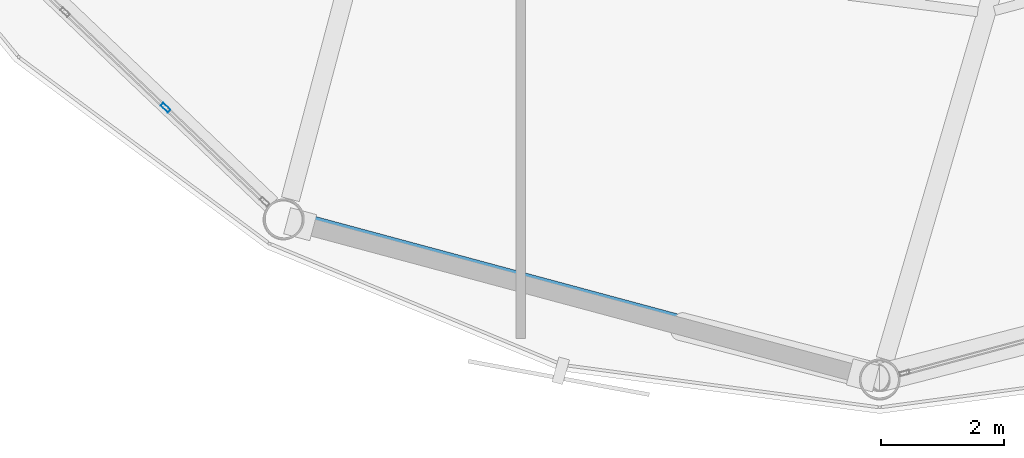
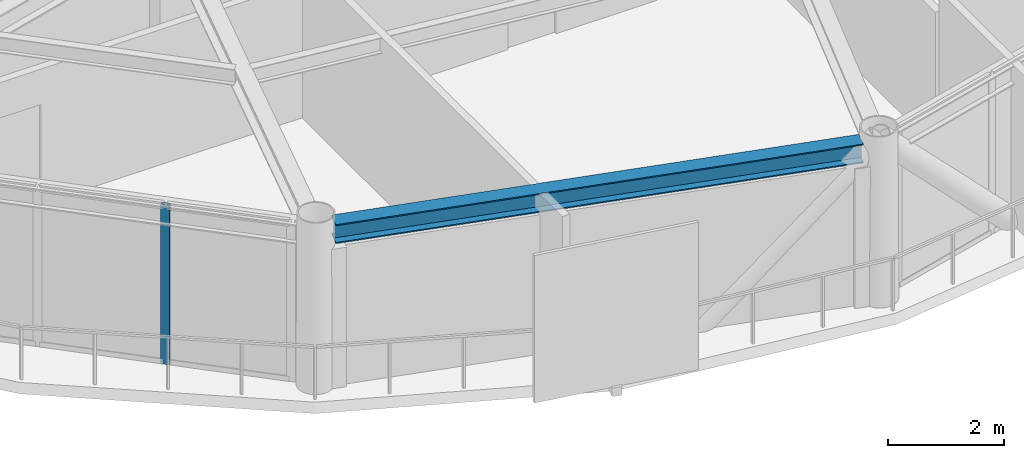
# One storey, part 3 of 29: 1 beam, 1 member, 1 element without a shape of its own.
"""IFC4 building model written with IfcOpenShell, lengths in metres."""

from ifc_helpers import new_model, si_unit, direction, frame, origin, origin_2d, place, context, subcontext, project, spatial, hollow_rectangle, i_section, extrude, material, layer, layer_set, material_profile, profile_set, type_object, element, aggregate, save


model = new_model("IFC4")

# Units and contexts
model_context = context("Model", 3, precision=1e-05, world=origin(), true_north=direction((0.0, 1.0)))
body_context = subcontext(model_context, "Body", "Model", "MODEL_VIEW")
ifc_project = project(units=[si_unit("LENGTHUNIT", "METRE"), si_unit("AREAUNIT", "SQUARE_METRE"), si_unit("VOLUMEUNIT", "CUBIC_METRE"), si_unit("PLANEANGLEUNIT", "RADIAN"), si_unit("MASSUNIT", "GRAM", prefix="KILO")], contexts=[model_context])

# Site, building, storey
site_placement = place(None, origin())
site = spatial("IfcSite", under=ifc_project, at=site_placement, CompositionType="ELEMENT")
building_placement = place(site_placement, origin())
building = spatial("IfcBuilding", under=site, at=building_placement, Name="Varnakorn Sky Granary", CompositionType="ELEMENT")
storey_placement = place(building_placement, frame((0.0, 0.0, 189.60009765625)))
storey = spatial("IfcBuildingStorey", under=building, at=storey_placement, Name="L47", CompositionType="ELEMENT", Elevation=189.60009765625)

# Beam
ifc_material_1 = material(Name="Steel S355JR", Category="steel")
ifc_material_profile_1 = material_profile(ifc_material_1, i_section(OverallWidth=0.300048828125, OverallDepth=0.39990234375, WebThickness=0.013427734375, FlangeThickness=0.02392578125, at=origin_2d()), Name="HE 400 B")
ifc_profile_set_1 = profile_set([ifc_material_profile_1], Name="Steel S355JR")
beam_type = type_object("IfcBeamType", Name="BM-SPD-Z4", PredefinedType="SPANDREL", material=ifc_profile_set_1)
beam_placement = place(storey_placement, frame((-4.53369140625, -16.056396484375, 3.159912109375), z_axis=(0.965659367077, -0.259811444662, 0.0), x_axis=(0.259811444662, 0.965659367077, 0.0)))
element("IfcBeam", 1, at=beam_placement, inside=storey, type_object=beam_type, Name="Perimeter Spandrel Ring Beam RB09 L47", PredefinedType="SPANDREL", context=body_context, shape_type="SweptSolid", body=[
    extrude(i_section(OverallWidth=0.300048828125, OverallDepth=0.39990234375, WebThickness=0.013427734375, FlangeThickness=0.02392578125, at=origin_2d()), origin(), (0.0, 0.0, 1.0), 9.402587890625),
])

# Curtain wall, member
ifc_material_2 = material(Name="Anodised Bronze Aluminium Alloy 6063-T6", Category="aluminium")
ifc_layer = layer(ifc_material_2, 0.169921875, Name="Anodised Bronze Aluminium Alloy 6063-T6")
ifc_layer_set = layer_set([ifc_layer], Name="Anodised Bronze Aluminium Alloy 6063-T6")
curtain_wall_type = type_object("IfcCurtainWallType", Name="CW-LAB-1", PredefinedType="USERDEFINED", material=ifc_layer_set)
curtain_wall_placement = place(storey_placement, origin())
curtain_wall = element("IfcCurtainWall", 2, at=curtain_wall_placement, inside=storey, type_object=curtain_wall_type, Name="Unitised Curtain Wall CW5 CW-L47-B08", ObjectType="CURTAIN WALL", PredefinedType="USERDEFINED")
ifc_material_profile_2 = material_profile(ifc_material_2, hollow_rectangle(XDim=0.06494140625, YDim=0.159912109375, WallThickness=0.00341796875, at=origin_2d()), Name="ALU MULL 65x160")
ifc_profile_set_2 = profile_set([ifc_material_profile_2], Name="Anodised Bronze Aluminium Alloy 6063-T6")
member_type = type_object("IfcMemberType", Name="CW-LAB-1-MULL", PredefinedType="MULLION", material=ifc_profile_set_2)
member_placement = place(storey_placement, frame((-6.79248046875, -14.1787109375, 0.0), z_axis=(0.0, 0.0, 1.0), x_axis=(-0.688905297757, -0.724851357674, 0.0)))
member = element("IfcMember", 3, at=member_placement, type_object=member_type, Name="CW5 mullion 2", PredefinedType="MULLION", context=body_context, shape_type="SweptSolid", body=[
    extrude(hollow_rectangle(XDim=0.06494140625, YDim=0.159912109375, WallThickness=0.00341796875, at=origin_2d()), origin(), (0.0, 0.0, 1.0), 3.35986328125),
])
aggregate(curtain_wall, [member])

save(model, "model.ifc")
